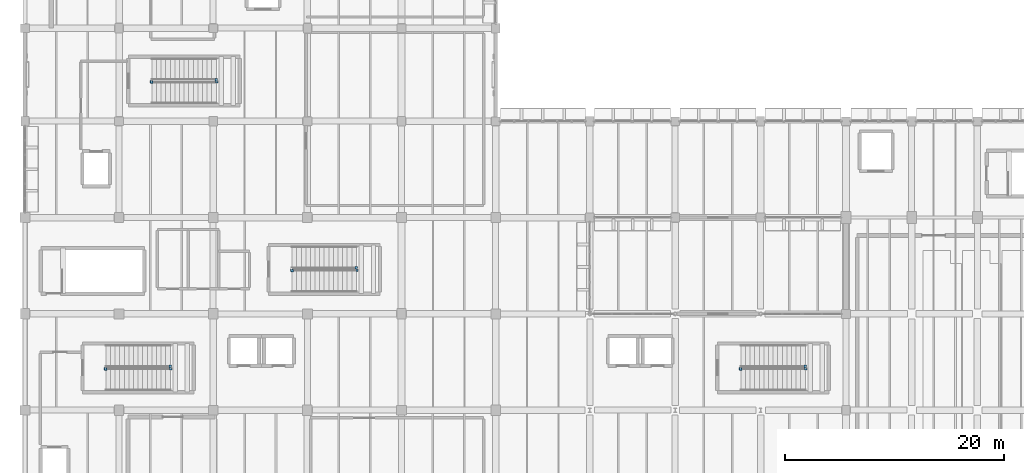
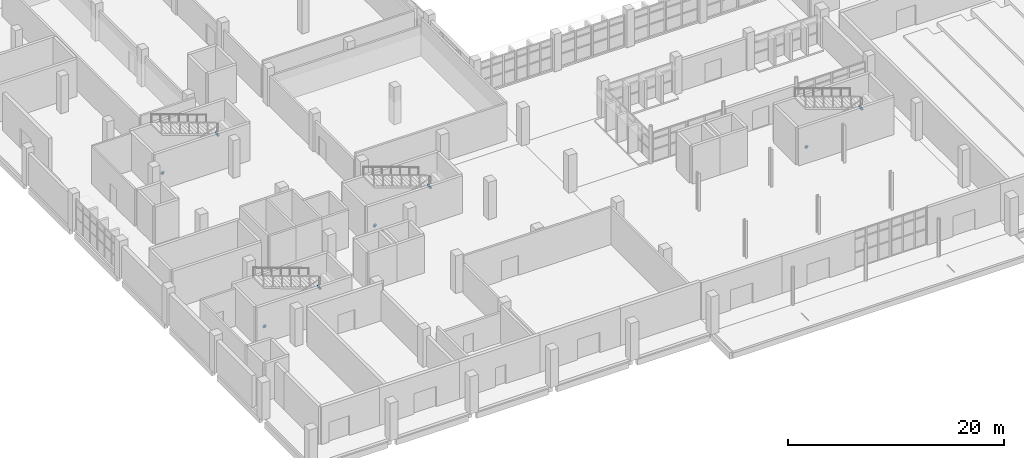
# One storey, part 64 of 76: 16 discrete accessories.
"""IFC4 building model written with IfcOpenShell, lengths in metres."""

from ifc_helpers import new_model, si_unit, direction, frame, origin, origin_2d, place, context, subcontext, project, spatial, rectangle, extrude, material, type_object, element, save


model = new_model("IFC4")

# Units and contexts
model_context = context("Model", 3, precision=1e-05, world=origin(), true_north=direction((0.0, 1.0)))
body_context = subcontext(model_context, "Body", "Model", "MODEL_VIEW")
ifc_project = project(units=[si_unit("LENGTHUNIT", "METRE"), si_unit("AREAUNIT", "SQUARE_METRE"), si_unit("VOLUMEUNIT", "CUBIC_METRE"), si_unit("PLANEANGLEUNIT", "RADIAN"), si_unit("MASSUNIT", "GRAM", prefix="KILO")], contexts=[model_context])

# Site, building, storey
site_placement = place(None, origin())
site = spatial("IfcSite", under=ifc_project, at=site_placement, CompositionType="ELEMENT")
building_placement = place(site_placement, origin())
building = spatial("IfcBuilding", under=site, at=building_placement, Name="Varnakota Cinema and Media Centre", CompositionType="ELEMENT")
storey_placement = place(building_placement, origin())
storey = spatial("IfcBuildingStorey", under=building, at=storey_placement, Name="L00", CompositionType="ELEMENT", Elevation=0.0)

# Discrete accessories
ifc_material = material(Name="Structural steel Grade 350 (E350)", Category="steel")
discrete_accessory_type = type_object("IfcDiscreteAccessoryType", Name="ACC-BRACKET-SG", PredefinedType="BRACKET", material=ifc_material)
for number, where, z_axis, x_axis, name in (
    (1, (7.39990234375, 21.35009765625, 0.06005859375), (0.0, 0.0, 1.0), (1.0, 0.0, 0.0), "L00 stair guard base bracket ST-01-L00-G1"),
    (2, (13.330078125, 21.39990234375, 2.16015625), (0.0, 0.0, 1.0), (1.0, 0.0, 0.0), "L00 stair guard base bracket ST-01-L00-G2"),
    (3, (13.280029296875, 21.60009765625, 2.31005859375), (0.0, 0.0, 1.0), (1.0, 0.0, 0.0), "L00 stair guard base bracket ST-01-L00-G3"),
    (4, (7.35009765625, 21.39990234375, -0.08984375), (0.0, 0.0, 1.0), (1.0, 0.0, 0.0), "L00 stair guard base bracket ST-01-L00-G4"),
    (5, (24.39990234375, 30.35009765625, 0.06005859375), (0.0, 0.0, 1.0), (1.0, 0.0, 0.0), "L00 stair guard base bracket ST-02-L00-G1"),
    (6, (30.330078125, 30.39990234375, 2.16015625), (0.0, 0.0, 1.0), (1.0, 0.0, 0.0), "L00 stair guard base bracket ST-02-L00-G2"),
    (7, (30.280029296875, 30.60009765625, 2.31005859375), (0.0, 0.0, 1.0), (1.0, 0.0, 0.0), "L00 stair guard base bracket ST-02-L00-G3"),
    (8, (24.35009765625, 30.39990234375, -0.08984375), (0.0, 0.0, 1.0), (1.0, 0.0, 0.0), "L00 stair guard base bracket ST-02-L00-G4"),
    (9, (11.60009765625, 47.550048828125, 0.06005859375), (0.0, 0.0, 1.0), (1.0, 0.0, 0.0), "L00 stair guard base bracket ST-03-L00-G1"),
    (10, (17.530029296875, 47.60009765625, 2.16015625), (0.0, 0.0, 1.0), (1.0, 0.0, 0.0), "L00 stair guard base bracket ST-03-L00-G2"),
    (11, (17.47998046875, 47.800048828125, 2.31005859375), (0.0, 0.0, 1.0), (1.0, 0.0, 0.0), "L00 stair guard base bracket ST-03-L00-G3"),
    (12, (11.550048828125, 47.60009765625, -0.08984375), (0.0, 0.0, 1.0), (1.0, 0.0, 0.0), "L00 stair guard base bracket ST-03-L00-G4"),
    (13, (65.39990234375, 21.35009765625, 0.06005859375), (0.0, 0.0, 1.0), (1.0, 0.0, 0.0), "L00 stair guard base bracket ST-04-L00-G1"),
    (14, (71.330078125, 21.39990234375, 2.16015625), (0.0, 0.0, 1.0), (1.0, 0.0, 0.0), "L00 stair guard base bracket ST-04-L00-G2"),
    (15, (71.280029296875, 21.60009765625, 2.31005859375), (0.0, 0.0, 1.0), (1.0, 0.0, 0.0), "L00 stair guard base bracket ST-04-L00-G3"),
    (16, (65.35009765625, 21.39990234375, -0.08984375), (0.0, 0.0, 1.0), (1.0, 0.0, 0.0), "L00 stair guard base bracket ST-04-L00-G4"),
):
    element("IfcDiscreteAccessory", number, at=place(storey_placement, frame(where, z_axis=z_axis, x_axis=x_axis)), inside=storey, type_object=discrete_accessory_type, Name=name, PredefinedType="BRACKET", context=body_context, shape_type="SweptSolid", body=[
        extrude(rectangle(XDim=0.219970703125, YDim=0.219970703125, at=origin_2d()), origin(), (0.0, 0.0, 1.0), 0.139892578125),
    ])

save(model, "model.ifc")
